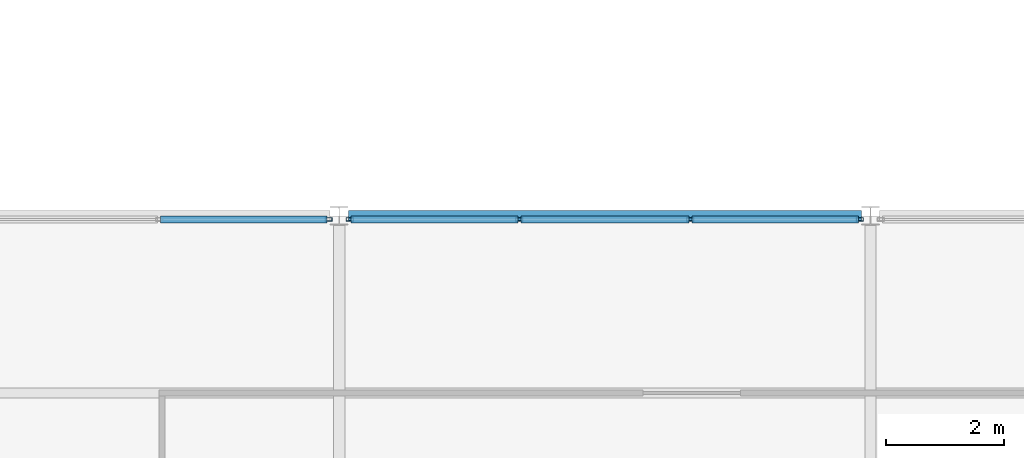
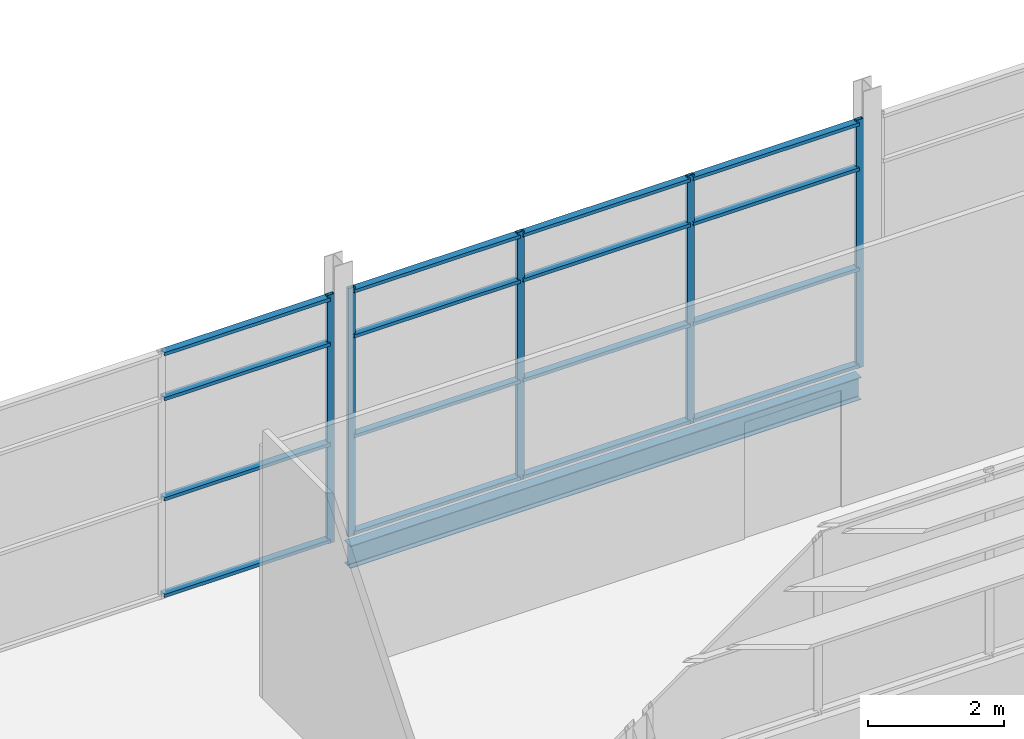
# One storey, part 15 of 61: 21 members, 1 beam, 2 elements without a shape of their own.
"""IFC4 building model written with IfcOpenShell, lengths in metres."""

from ifc_helpers import new_model, si_unit, direction, frame, origin, origin_2d, place, context, subcontext, project, spatial, hollow_rectangle, i_section, extrude, material, layer, layer_set, material_profile, profile_set, type_object, element, aggregate, save


model = new_model("IFC4")

# Units and contexts
model_context = context("Model", 3, precision=1e-05, world=origin(), true_north=direction((0.0, 1.0)))
body_context = subcontext(model_context, "Body", "Model", "MODEL_VIEW")
ifc_project = project(units=[si_unit("LENGTHUNIT", "METRE"), si_unit("AREAUNIT", "SQUARE_METRE"), si_unit("VOLUMEUNIT", "CUBIC_METRE"), si_unit("PLANEANGLEUNIT", "RADIAN"), si_unit("MASSUNIT", "GRAM", prefix="KILO")], contexts=[model_context])

# Site, building, storey
site_placement = place(None, origin())
site = spatial("IfcSite", under=ifc_project, at=site_placement, CompositionType="ELEMENT")
building_placement = place(site_placement, origin())
building = spatial("IfcBuilding", under=site, at=building_placement, Name="Shorebreak Coast Museum", CompositionType="ELEMENT")
storey_placement = place(building_placement, frame((0.0, 0.0, 26.0)))
storey = spatial("IfcBuildingStorey", under=building, at=storey_placement, Name="L04", CompositionType="ELEMENT", Elevation=26.0)

# Beam
ifc_material_1 = material(Name="Steel Grade 300", Category="steel")
ifc_material_profile_1 = material_profile(ifc_material_1, i_section(OverallWidth=0.177978515625, OverallDepth=0.402587890625, WebThickness=0.007568359375, FlangeThickness=0.010986328125, FilletRadius=0.011474609375, at=origin_2d()), Name="410UB53.7")
ifc_profile_set_1 = profile_set([ifc_material_profile_1], Name="Steel Grade 300")
beam_type = type_object("IfcBeamType", Name="Floor girder east-west 410UB53.7", PredefinedType="BEAM", material=ifc_profile_set_1)
beam_placement = place(storey_placement, frame((72.154541015625, 63.0, -0.376220703125), z_axis=(1.0, 0.0, 0.0), x_axis=(0.0, 1.0, 0.0)))
element("IfcBeam", 1, at=beam_placement, inside=storey, type_object=beam_type, Name="Floor girder east-west L04 9H", PredefinedType="BEAM", context=body_context, shape_type="SweptSolid", body=[
    extrude(i_section(OverallWidth=0.177978515625, OverallDepth=0.402587890625, WebThickness=0.007568359375, FlangeThickness=0.010986328125, FilletRadius=0.011474609375, at=origin_2d()), origin(), (0.0, 0.0, 1.0), 8.69091796875),
])

# Curtain wall, member
ifc_material_2 = material(Name="Aluminium", Category="aluminium")
ifc_layer = layer(ifc_material_2, 0.1201171875)
ifc_layer_set = layer_set([ifc_layer], Name="Aluminium")
curtain_wall_type = type_object("IfcCurtainWallType", Name="Atrium fire screen", PredefinedType="NOTDEFINED", material=ifc_layer_set)
curtain_wall_1_placement = place(storey_placement, origin())
curtain_wall_1 = element("IfcCurtainWall", 2, at=curtain_wall_1_placement, inside=storey, type_object=curtain_wall_type, Name="Atrium screen L04 S 49", PredefinedType="NOTDEFINED")
ifc_material_3 = material(Name="Aluminium", Category="aluminium")
ifc_material_profile_2 = material_profile(ifc_material_3, hollow_rectangle(XDim=0.06005859375, YDim=0.1201171875, WallThickness=0.00341796875, at=origin_2d()), Name="AL 120x60 RHS")
ifc_profile_set_2 = profile_set([ifc_material_profile_2], Name="Aluminium")
member_type_1 = type_object("IfcMemberType", Name="Screen mullion 50 x 120", PredefinedType="MULLION", material=ifc_profile_set_2)
member_1_placement = place(storey_placement, frame((71.821533203125, 62.93994140625, 0.0), z_axis=(0.0, 0.0, 1.0), x_axis=(0.0, 1.0, 0.0)))
member_1 = element("IfcMember", 3, at=member_1_placement, type_object=member_type_1, Name="CW5 mullion 4", PredefinedType="MULLION", context=body_context, shape_type="SweptSolid", body=[
    extrude(hollow_rectangle(XDim=0.06005859375, YDim=0.1201171875, WallThickness=0.00341796875, at=origin_2d()), origin(), (0.0, 0.0, 1.0), 4.469482421875),
])

# Curtain wall, members
curtain_wall_2_placement = place(storey_placement, origin())
curtain_wall_2 = element("IfcCurtainWall", 4, at=curtain_wall_2_placement, inside=storey, type_object=curtain_wall_type, Name="Atrium screen L04 S 50", PredefinedType="NOTDEFINED")
member_2_placement = place(storey_placement, frame((72.178466796875, 62.93994140625, 0.0), z_axis=(0.0, 0.0, 1.0), x_axis=(0.0, 1.0, 0.0)))
member_2 = element("IfcMember", 5, at=member_2_placement, type_object=member_type_1, Name="CW6 mullion 1", PredefinedType="MULLION", context=body_context, shape_type="SweptSolid", body=[
    extrude(hollow_rectangle(XDim=0.06005859375, YDim=0.1201171875, WallThickness=0.00341796875, at=origin_2d()), origin(), (0.0, 0.0, 1.0), 4.469482421875),
])
member_3_placement = place(storey_placement, frame((75.05126953125, 62.93994140625, 0.0), z_axis=(0.0, 0.0, 1.0), x_axis=(0.0, 1.0, 0.0)))
member_3 = element("IfcMember", 6, at=member_3_placement, type_object=member_type_1, Name="CW6 mullion 2", PredefinedType="MULLION", context=body_context, shape_type="SweptSolid", body=[
    extrude(hollow_rectangle(XDim=0.06005859375, YDim=0.1201171875, WallThickness=0.00341796875, at=origin_2d()), origin(), (0.0, 0.0, 1.0), 4.469482421875),
])
member_4_placement = place(storey_placement, frame((77.94873046875, 62.93994140625, 0.0), z_axis=(0.0, 0.0, 1.0), x_axis=(0.0, 1.0, 0.0)))
member_4 = element("IfcMember", 7, at=member_4_placement, type_object=member_type_1, Name="CW6 mullion 3", PredefinedType="MULLION", context=body_context, shape_type="SweptSolid", body=[
    extrude(hollow_rectangle(XDim=0.06005859375, YDim=0.1201171875, WallThickness=0.00341796875, at=origin_2d()), origin(), (0.0, 0.0, 1.0), 4.469482421875),
])
member_5_placement = place(storey_placement, frame((80.821533203125, 62.93994140625, 0.0), z_axis=(0.0, 0.0, 1.0), x_axis=(0.0, 1.0, 0.0)))
member_5 = element("IfcMember", 8, at=member_5_placement, type_object=member_type_1, Name="CW6 mullion 4", PredefinedType="MULLION", context=body_context, shape_type="SweptSolid", body=[
    extrude(hollow_rectangle(XDim=0.06005859375, YDim=0.1201171875, WallThickness=0.00341796875, at=origin_2d()), origin(), (0.0, 0.0, 1.0), 4.469482421875),
])

# Member
ifc_material_4 = material(Name="Aluminium", Category="aluminium")
ifc_material_profile_3 = material_profile(ifc_material_4, hollow_rectangle(XDim=0.1201171875, YDim=0.06005859375, WallThickness=0.00341796875, at=origin_2d()), Name="AL 60x120 RHS")
ifc_profile_set_3 = profile_set([ifc_material_profile_3], Name="Aluminium")
member_type_2 = type_object("IfcMemberType", Name="Screen transom 120 x 50", PredefinedType="USERDEFINED", material=ifc_profile_set_3)
member_6_placement = place(storey_placement, frame((68.973876953125, 62.93994140625, 0.06005859375), z_axis=(1.0, 0.0, 0.0), x_axis=(0.0, 1.0, 0.0)))
member_6 = element("IfcMember", 9, at=member_6_placement, type_object=member_type_2, Name="CW5 transom 3.1", ObjectType="TRANSOM", PredefinedType="USERDEFINED", context=body_context, shape_type="SweptSolid", body=[
    extrude(hollow_rectangle(XDim=0.1201171875, YDim=0.06005859375, WallThickness=0.00341796875, at=origin_2d()), origin(), (0.0, 0.0, 1.0), 2.822509765625),
])

member_7_placement = place(storey_placement, frame((68.973876953125, 62.93994140625, 1.800048828125), z_axis=(1.0, 0.0, 0.0), x_axis=(0.0, 1.0, 0.0)))
member_7 = element("IfcMember", 10, at=member_7_placement, type_object=member_type_2, Name="CW5 transom 3.2", ObjectType="TRANSOM", PredefinedType="USERDEFINED", context=body_context, shape_type="SweptSolid", body=[
    extrude(hollow_rectangle(XDim=0.1201171875, YDim=0.06005859375, WallThickness=0.00341796875, at=origin_2d()), origin(), (0.0, 0.0, 1.0), 2.822509765625),
])

member_8_placement = place(storey_placement, frame((68.973876953125, 62.93994140625, 3.60009765625), z_axis=(1.0, 0.0, 0.0), x_axis=(0.0, 1.0, 0.0)))
member_8 = element("IfcMember", 11, at=member_8_placement, type_object=member_type_2, Name="CW5 transom 3.3", ObjectType="TRANSOM", PredefinedType="USERDEFINED", context=body_context, shape_type="SweptSolid", body=[
    extrude(hollow_rectangle(XDim=0.1201171875, YDim=0.06005859375, WallThickness=0.00341796875, at=origin_2d()), origin(), (0.0, 0.0, 1.0), 2.822509765625),
])

member_9_placement = place(storey_placement, frame((68.973876953125, 62.93994140625, 4.409423828125), z_axis=(1.0, 0.0, 0.0), x_axis=(0.0, 1.0, 0.0)))
member_9 = element("IfcMember", 12, at=member_9_placement, type_object=member_type_2, Name="CW5 transom 3.4", ObjectType="TRANSOM", PredefinedType="USERDEFINED", context=body_context, shape_type="SweptSolid", body=[
    extrude(hollow_rectangle(XDim=0.1201171875, YDim=0.06005859375, WallThickness=0.00341796875, at=origin_2d()), origin(), (0.0, 0.0, 1.0), 2.822509765625),
])

aggregate(curtain_wall_1, [member_1, member_6, member_7, member_8, member_9])

member_10_placement = place(storey_placement, frame((72.20361328125, 62.93994140625, 0.06005859375), z_axis=(1.0, 0.0, 0.0), x_axis=(0.0, 1.0, 0.0)))
member_10 = element("IfcMember", 13, at=member_10_placement, type_object=member_type_2, Name="CW6 transom 1.1", ObjectType="TRANSOM", PredefinedType="USERDEFINED", context=body_context, shape_type="SweptSolid", body=[
    extrude(hollow_rectangle(XDim=0.1201171875, YDim=0.06005859375, WallThickness=0.00341796875, at=origin_2d()), origin(), (0.0, 0.0, 1.0), 2.822509765625),
])

member_11_placement = place(storey_placement, frame((72.20361328125, 62.93994140625, 1.800048828125), z_axis=(1.0, 0.0, 0.0), x_axis=(0.0, 1.0, 0.0)))
member_11 = element("IfcMember", 14, at=member_11_placement, type_object=member_type_2, Name="CW6 transom 1.2", ObjectType="TRANSOM", PredefinedType="USERDEFINED", context=body_context, shape_type="SweptSolid", body=[
    extrude(hollow_rectangle(XDim=0.1201171875, YDim=0.06005859375, WallThickness=0.00341796875, at=origin_2d()), origin(), (0.0, 0.0, 1.0), 2.822509765625),
])

member_12_placement = place(storey_placement, frame((72.20361328125, 62.93994140625, 3.60009765625), z_axis=(1.0, 0.0, 0.0), x_axis=(0.0, 1.0, 0.0)))
member_12 = element("IfcMember", 15, at=member_12_placement, type_object=member_type_2, Name="CW6 transom 1.3", ObjectType="TRANSOM", PredefinedType="USERDEFINED", context=body_context, shape_type="SweptSolid", body=[
    extrude(hollow_rectangle(XDim=0.1201171875, YDim=0.06005859375, WallThickness=0.00341796875, at=origin_2d()), origin(), (0.0, 0.0, 1.0), 2.822509765625),
])

member_13_placement = place(storey_placement, frame((72.20361328125, 62.93994140625, 4.409423828125), z_axis=(1.0, 0.0, 0.0), x_axis=(0.0, 1.0, 0.0)))
member_13 = element("IfcMember", 16, at=member_13_placement, type_object=member_type_2, Name="CW6 transom 1.4", ObjectType="TRANSOM", PredefinedType="USERDEFINED", context=body_context, shape_type="SweptSolid", body=[
    extrude(hollow_rectangle(XDim=0.1201171875, YDim=0.06005859375, WallThickness=0.00341796875, at=origin_2d()), origin(), (0.0, 0.0, 1.0), 2.822509765625),
])

member_14_placement = place(storey_placement, frame((75.076171875, 62.93994140625, 0.06005859375), z_axis=(1.0, 0.0, 0.0), x_axis=(0.0, 1.0, 0.0)))
member_14 = element("IfcMember", 17, at=member_14_placement, type_object=member_type_2, Name="CW6 transom 2.1", ObjectType="TRANSOM", PredefinedType="USERDEFINED", context=body_context, shape_type="SweptSolid", body=[
    extrude(hollow_rectangle(XDim=0.1201171875, YDim=0.06005859375, WallThickness=0.00341796875, at=origin_2d()), origin(), (0.0, 0.0, 1.0), 2.84765625),
])

member_15_placement = place(storey_placement, frame((75.076171875, 62.93994140625, 1.800048828125), z_axis=(1.0, 0.0, 0.0), x_axis=(0.0, 1.0, 0.0)))
member_15 = element("IfcMember", 18, at=member_15_placement, type_object=member_type_2, Name="CW6 transom 2.2", ObjectType="TRANSOM", PredefinedType="USERDEFINED", context=body_context, shape_type="SweptSolid", body=[
    extrude(hollow_rectangle(XDim=0.1201171875, YDim=0.06005859375, WallThickness=0.00341796875, at=origin_2d()), origin(), (0.0, 0.0, 1.0), 2.84765625),
])

member_16_placement = place(storey_placement, frame((75.076171875, 62.93994140625, 3.60009765625), z_axis=(1.0, 0.0, 0.0), x_axis=(0.0, 1.0, 0.0)))
member_16 = element("IfcMember", 19, at=member_16_placement, type_object=member_type_2, Name="CW6 transom 2.3", ObjectType="TRANSOM", PredefinedType="USERDEFINED", context=body_context, shape_type="SweptSolid", body=[
    extrude(hollow_rectangle(XDim=0.1201171875, YDim=0.06005859375, WallThickness=0.00341796875, at=origin_2d()), origin(), (0.0, 0.0, 1.0), 2.84765625),
])

member_17_placement = place(storey_placement, frame((75.076171875, 62.93994140625, 4.409423828125), z_axis=(1.0, 0.0, 0.0), x_axis=(0.0, 1.0, 0.0)))
member_17 = element("IfcMember", 20, at=member_17_placement, type_object=member_type_2, Name="CW6 transom 2.4", ObjectType="TRANSOM", PredefinedType="USERDEFINED", context=body_context, shape_type="SweptSolid", body=[
    extrude(hollow_rectangle(XDim=0.1201171875, YDim=0.06005859375, WallThickness=0.00341796875, at=origin_2d()), origin(), (0.0, 0.0, 1.0), 2.84765625),
])

member_18_placement = place(storey_placement, frame((77.973876953125, 62.93994140625, 0.06005859375), z_axis=(1.0, 0.0, 0.0), x_axis=(0.0, 1.0, 0.0)))
member_18 = element("IfcMember", 21, at=member_18_placement, type_object=member_type_2, Name="CW6 transom 3.1", ObjectType="TRANSOM", PredefinedType="USERDEFINED", context=body_context, shape_type="SweptSolid", body=[
    extrude(hollow_rectangle(XDim=0.1201171875, YDim=0.06005859375, WallThickness=0.00341796875, at=origin_2d()), origin(), (0.0, 0.0, 1.0), 2.822509765625),
])

member_19_placement = place(storey_placement, frame((77.973876953125, 62.93994140625, 1.800048828125), z_axis=(1.0, 0.0, 0.0), x_axis=(0.0, 1.0, 0.0)))
member_19 = element("IfcMember", 22, at=member_19_placement, type_object=member_type_2, Name="CW6 transom 3.2", ObjectType="TRANSOM", PredefinedType="USERDEFINED", context=body_context, shape_type="SweptSolid", body=[
    extrude(hollow_rectangle(XDim=0.1201171875, YDim=0.06005859375, WallThickness=0.00341796875, at=origin_2d()), origin(), (0.0, 0.0, 1.0), 2.822509765625),
])

member_20_placement = place(storey_placement, frame((77.973876953125, 62.93994140625, 3.60009765625), z_axis=(1.0, 0.0, 0.0), x_axis=(0.0, 1.0, 0.0)))
member_20 = element("IfcMember", 23, at=member_20_placement, type_object=member_type_2, Name="CW6 transom 3.3", ObjectType="TRANSOM", PredefinedType="USERDEFINED", context=body_context, shape_type="SweptSolid", body=[
    extrude(hollow_rectangle(XDim=0.1201171875, YDim=0.06005859375, WallThickness=0.00341796875, at=origin_2d()), origin(), (0.0, 0.0, 1.0), 2.822509765625),
])

member_21_placement = place(storey_placement, frame((77.973876953125, 62.93994140625, 4.409423828125), z_axis=(1.0, 0.0, 0.0), x_axis=(0.0, 1.0, 0.0)))
member_21 = element("IfcMember", 24, at=member_21_placement, type_object=member_type_2, Name="CW6 transom 3.4", ObjectType="TRANSOM", PredefinedType="USERDEFINED", context=body_context, shape_type="SweptSolid", body=[
    extrude(hollow_rectangle(XDim=0.1201171875, YDim=0.06005859375, WallThickness=0.00341796875, at=origin_2d()), origin(), (0.0, 0.0, 1.0), 2.822509765625),
])

aggregate(curtain_wall_2, [member_2, member_3, member_4, member_5, member_10, member_11, member_12, member_13, member_14, member_15, member_16, member_17, member_18, member_19, member_20, member_21])

save(model, "model.ifc")
